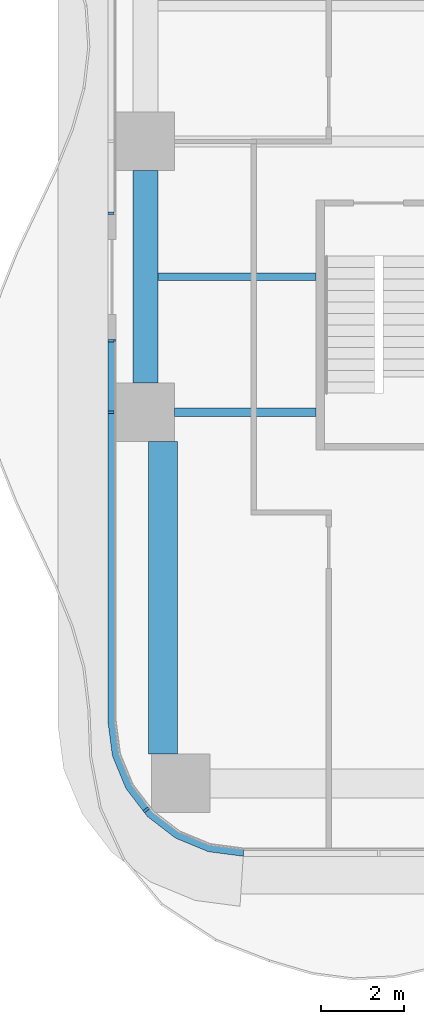
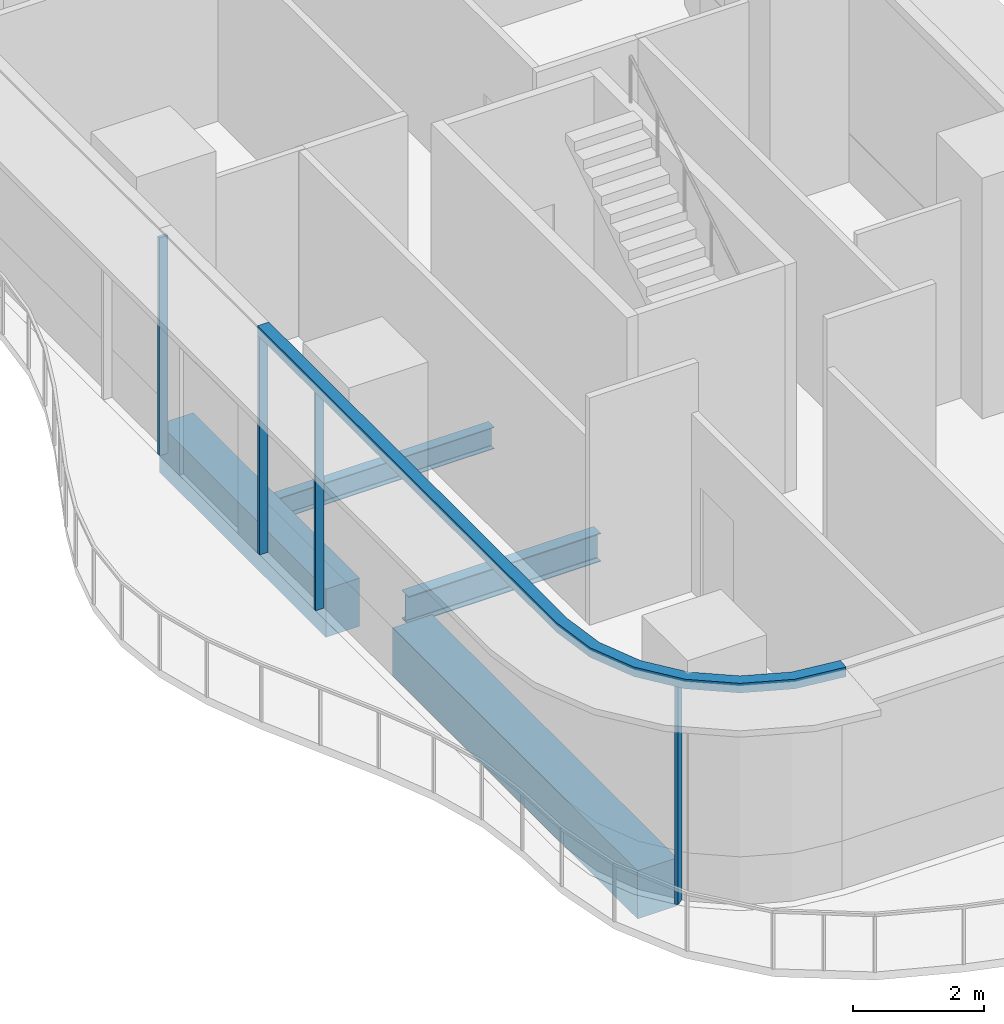
# One storey, part 2 of 22: 5 members, 4 beams, 2 elements without a shape of their own.
"""IFC4 building model written with IfcOpenShell, lengths in metres."""

from ifc_helpers import new_model, si_unit, direction, frame, origin, origin_2d, place, context, subcontext, project, spatial, polyline, rectangle, i_section, outline, extrude, source, transform, mapped, material, layer, layer_set, material_profile, profile_set, type_object, element, aggregate, save


model = new_model("IFC4")

# Units and contexts
model_context = context("Model", 3, precision=1e-05, world=origin(), true_north=direction((0.0, 1.0)))
body_context = subcontext(model_context, "Body", "Model", "MODEL_VIEW")
ifc_project = project(units=[si_unit("LENGTHUNIT", "METRE"), si_unit("AREAUNIT", "SQUARE_METRE"), si_unit("VOLUMEUNIT", "CUBIC_METRE"), si_unit("PLANEANGLEUNIT", "RADIAN"), si_unit("MASSUNIT", "GRAM", prefix="KILO")], contexts=[model_context])

# Site, building, storey
site_placement = place(None, origin())
site = spatial("IfcSite", under=ifc_project, at=site_placement, CompositionType="ELEMENT")
building_placement = place(site_placement, origin())
building = spatial("IfcBuilding", under=site, at=building_placement, Name="Trellis Farm Tower", CompositionType="ELEMENT")
storey_placement = place(building_placement, frame((0.0, 0.0, 65.5)))
storey = spatial("IfcBuildingStorey", under=building, at=storey_placement, Name="L13", CompositionType="ELEMENT", Elevation=65.5)

# Curtain wall, member
ifc_material_1 = material(Name="Aluminium and glass curtain wall", Category="aluminium")
ifc_layer_1 = layer(ifc_material_1, 0.18994140625)
ifc_layer_set_1 = layer_set([ifc_layer_1], Name="RIBBON CURTAIN WALL CW1")
curtain_wall_type = type_object("IfcCurtainWallType", Name="RIBBON CURTAIN WALL CW1", PredefinedType="NOTDEFINED", material=ifc_layer_set_1)
placement = place(storey_placement, origin())
curtain_wall_1 = element("IfcCurtainWall", 1, at=placement, inside=storey, type_object=curtain_wall_type, Name="CW1 003", PredefinedType="NOTDEFINED")
ifc_material_2 = material(Name="Aluminium extrusion 6063-T6", Category="aluminium")
ifc_layer_2 = layer(ifc_material_2, 0.199951171875)
ifc_layer_set_2 = layer_set([ifc_layer_2], Name="Aluminium extrusion 6063-T6")
member_type_1 = type_object("IfcMemberType", Name="CW1 TRANSOM 200x180", PredefinedType="USERDEFINED", material=ifc_layer_set_2)
member_1_placement = place(storey_placement, frame((0.0, 0.0, 4.070068359375)))
member_1 = element("IfcMember", 2, at=member_1_placement, type_object=member_type_1, Name="TR1 003", ObjectType="TRANSOM", PredefinedType="USERDEFINED", context=body_context, shape_type="SweptSolid", body=[
    extrude(outline(polyline([(-6.5, -16.85009765625), (-6.5, -26.0), (-6.38916015625, -26.841064453125), (-6.064697265625, -27.625), (-5.548095703125, -28.298095703125), (-4.875, -28.814697265625), (-4.091064453125, -29.13916015625), (-3.25, -29.25), (-3.23681640625, -29.050048828125), (-4.0390625, -28.9443359375), (-4.774169921875, -28.639892578125), (-5.405517578125, -28.155517578125), (-5.889892578125, -27.524169921875), (-6.1943359375, -26.7890625), (-6.300048828125, -25.98681640625), (-6.300048828125, -16.85009765625), (-6.5, -16.85009765625)])), origin(), (0.0, 0.0, 1.0), 0.179931640625),
])

# Beams
ifc_material_3 = material(Name="Steel S355", Category="steel")
ifc_material_profile_1 = material_profile(ifc_material_3, i_section(OverallWidth=0.209228515625, OverallDepth=0.533203125, WebThickness=0.010009765625, FlangeThickness=0.015625, FilletRadius=0.0126953125, at=origin_2d()), Name="UB 533x210x92")
ifc_profile_set_1 = profile_set([ifc_material_profile_1], Name="Steel S355")
beam_type_1 = type_object("IfcBeamType", Name="UB 533x210x92", PredefinedType="BEAM", material=ifc_profile_set_1)
shared_shape_1 = source(origin(), body_context, "Body", "SweptSolid", [
    extrude(i_section(OverallWidth=0.209228515625, OverallDepth=0.533203125, WebThickness=0.010009765625, FlangeThickness=0.015625, FilletRadius=0.0126953125, at=origin_2d()), origin(), (0.0, 0.0, 1.0), 3.39990234375),
])
beam_1_placement = place(storey_placement, frame((-4.89990234375, -18.60009765625, -0.5166015625), z_axis=(1.0, 0.0, 0.0), x_axis=(0.0, 1.0, 0.0)))
element("IfcBeam", 3, at=beam_1_placement, inside=storey, type_object=beam_type_1, Name="Girder", PredefinedType="BEAM", context=body_context, shape_type="MappedRepresentation", body=[
    mapped(shared_shape_1, transform((0.0, 0.0, 0.0))),
])
ifc_material_4 = material(Name="Concrete C60/75", Category="concrete")
ifc_material_profile_2 = material_profile(ifc_material_4, rectangle(XDim=0.60009765625, YDim=0.89990234375, at=origin_2d()), Name="RC spandrel beam 600x900 C60/75")
ifc_profile_set_2 = profile_set([ifc_material_profile_2], Name="Concrete C60/75")
beam_type_2 = type_object("IfcBeamType", Name="RC spandrel beam 600x900 C60/75", PredefinedType="SPANDREL", material=ifc_profile_set_2)
shared_shape_2 = source(origin(), body_context, "Body", "SweptSolid", [
    extrude(rectangle(XDim=0.60009765625, YDim=0.89990234375, at=origin_2d()), origin(), (0.0, 0.0, 1.0), 5.099853515625),
])
beam_2_placement = place(storey_placement, frame((-5.60009765625, -17.89990234375, -0.699951171875), z_axis=(0.0, 1.0, 0.0), x_axis=(-1.0, 0.0, 0.0)))
element("IfcBeam", 4, at=beam_2_placement, inside=storey, type_object=beam_type_2, Name="Girder", PredefinedType="SPANDREL", context=body_context, shape_type="MappedRepresentation", body=[
    mapped(shared_shape_2, transform((0.0, 0.0, 0.0))),
])
ifc_material_profile_3 = material_profile(ifc_material_4, rectangle(XDim=0.699951171875, YDim=0.89990234375, at=origin_2d()), Name="RC spandrel beam 700x900 C60/75")
ifc_profile_set_3 = profile_set([ifc_material_profile_3], Name="Concrete C60/75")
beam_type_3 = type_object("IfcBeamType", Name="RC spandrel beam 700x900 C60/75", PredefinedType="SPANDREL", material=ifc_profile_set_3)
shared_shape_3 = source(origin(), body_context, "Body", "SweptSolid", [
    extrude(rectangle(XDim=0.699951171875, YDim=0.89990234375, at=origin_2d()), origin(), (0.0, 0.0, 1.0), 7.5),
])
beam_3_placement = place(storey_placement, frame((-5.175048828125, -26.800048828125, -0.699951171875), z_axis=(0.0, 1.0, 0.0), x_axis=(-1.0, 0.0, 0.0)))
element("IfcBeam", 5, at=beam_3_placement, inside=storey, type_object=beam_type_3, Name="Girder", PredefinedType="SPANDREL", context=body_context, shape_type="MappedRepresentation", body=[
    mapped(shared_shape_3, transform((0.0, 0.0, 0.0))),
])
ifc_material_profile_4 = material_profile(ifc_material_3, i_section(OverallWidth=0.177978515625, OverallDepth=0.406494140625, WebThickness=0.0078125, FlangeThickness=0.0126953125, FilletRadius=0.01025390625, at=origin_2d()), Name="UB 406x178x60")
ifc_profile_set_4 = profile_set([ifc_material_profile_4], Name="Steel S355")
beam_type_4 = type_object("IfcBeamType", Name="UB 406x178x60 joist", PredefinedType="JOIST", material=ifc_profile_set_4)
shared_shape_4 = source(origin(), body_context, "Body", "SweptSolid", [
    extrude(i_section(OverallWidth=0.177978515625, OverallDepth=0.406494140625, WebThickness=0.0078125, FlangeThickness=0.0126953125, FilletRadius=0.01025390625, at=origin_2d()), origin(), (0.0, 0.0, 1.0), 3.800048828125),
])
beam_4_placement = place(storey_placement, frame((-5.300048828125, -15.35009765625, -0.453125), z_axis=(1.0, 0.0, 0.0), x_axis=(0.0, 1.0, 0.0)))
element("IfcBeam", 6, at=beam_4_placement, inside=storey, type_object=beam_type_4, Name="Floor beam", PredefinedType="JOIST", context=body_context, shape_type="MappedRepresentation", body=[
    mapped(shared_shape_4, transform((0.0, 0.0, 0.0))),
])

# Curtain wall, member
curtain_wall_2 = element("IfcCurtainWall", 7, at=placement, inside=storey, type_object=curtain_wall_type, Name="CW1 002", PredefinedType="NOTDEFINED")
ifc_material_profile_5 = material_profile(ifc_material_2, rectangle(XDim=0.06005859375, YDim=0.14990234375, at=origin_2d()), Name="MULLION 60x150")
ifc_profile_set_5 = profile_set([ifc_material_profile_5], Name="Aluminium extrusion 6063-T6")
member_type_2 = type_object("IfcMemberType", Name="CW1 MULLION 60x150", PredefinedType="MULLION", material=ifc_profile_set_5)
shared_shape_5 = source(origin(), body_context, "Body", "SweptSolid", [
    extrude(rectangle(XDim=0.06005859375, YDim=0.14990234375, at=origin_2d()), origin(), (0.0, 0.0, 1.0), 4.070068359375),
])
member_2_placement = place(storey_placement, frame((-6.425048828125, -13.820068359375, 0.0), z_axis=(0.0, 0.0, 1.0), x_axis=(0.0, -1.0, 0.0)))
member_2 = element("IfcMember", 8, at=member_2_placement, type_object=member_type_2, Name="MU1 002-02", PredefinedType="MULLION", context=body_context, shape_type="MappedRepresentation", body=[
    mapped(shared_shape_5, transform((0.0, 0.0, 0.0))),
])
aggregate(curtain_wall_2, [member_2])

# Member
member_3_placement = place(storey_placement, frame((-6.425048828125, -16.8798828125, 0.0), z_axis=(0.0, 0.0, 1.0), x_axis=(0.0, -1.0, 0.0)))
member_3 = element("IfcMember", 9, at=member_3_placement, type_object=member_type_2, Name="MU1 003-01", PredefinedType="MULLION", context=body_context, shape_type="MappedRepresentation", body=[
    mapped(shared_shape_5, transform((0.0, 0.0, 0.0))),
])

member_4_placement = place(storey_placement, frame((-6.425048828125, -18.60009765625, 0.0), z_axis=(0.0, 0.0, 1.0), x_axis=(0.0, -1.0, 0.0)))
member_4 = element("IfcMember", 10, at=member_4_placement, type_object=member_type_2, Name="MU1 003-02", PredefinedType="MULLION", context=body_context, shape_type="MappedRepresentation", body=[
    mapped(shared_shape_5, transform((0.0, 0.0, 0.0))),
])

member_5_placement = place(storey_placement, frame((-5.578369140625, -28.135498046875, 0.0), z_axis=(0.0, 0.0, 1.0), x_axis=(0.608761429009, -0.793353340291, 0.0)))
member_5 = element("IfcMember", 11, at=member_5_placement, type_object=member_type_2, Name="MU1 003-03", PredefinedType="MULLION", context=body_context, shape_type="MappedRepresentation", body=[
    mapped(shared_shape_5, transform((0.0, 0.0, 0.0))),
])

aggregate(curtain_wall_1, [member_3, member_4, member_5, member_1])

save(model, "model.ifc")
